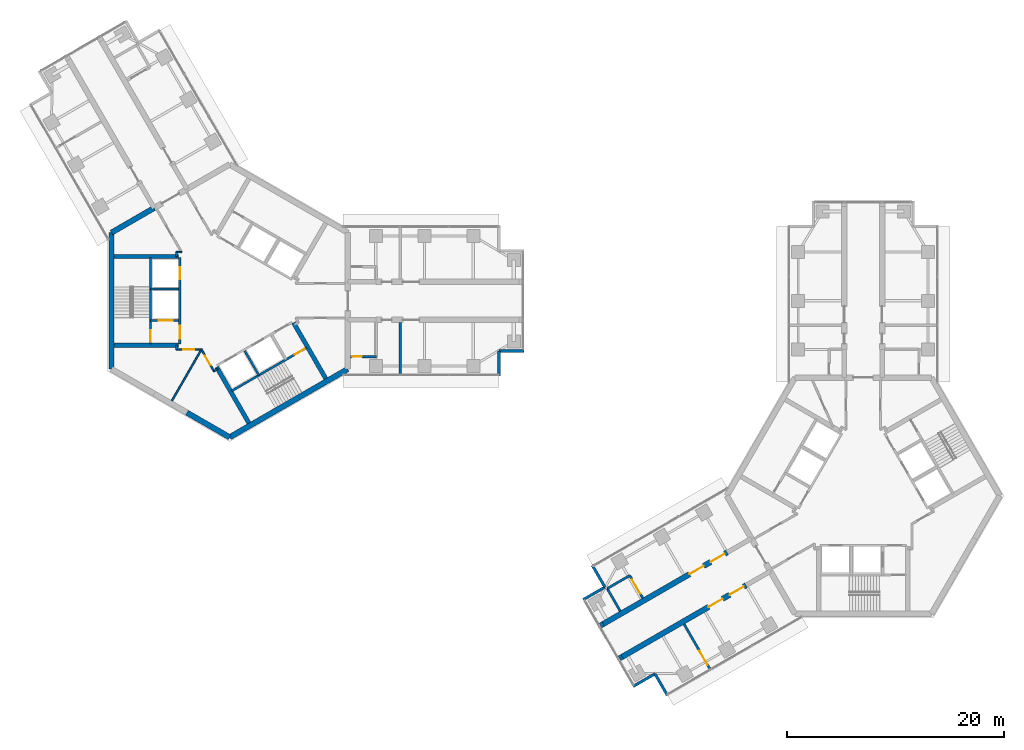
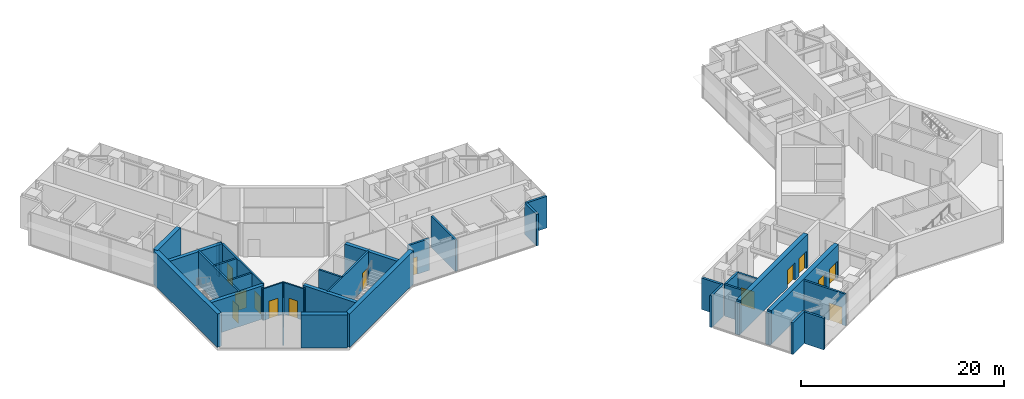
# One storey, part 11 of 17: 37 walls, 14 doors, 14 openings.
"""IFC4 building model written with IfcOpenShell, lengths in metres."""

from ifc_helpers import new_model, si_unit, direction, frame, frame_2d, origin, place, context, subcontext, project, spatial, rectangle, extrude, material, layer, layer_set, type_object, element, fill, save


model = new_model("IFC4")

# Units and contexts
model_context = context("Model", 3, precision=1e-05, world=origin(), true_north=direction((0.0, 1.0)))
body_context = subcontext(model_context, "Body", "Model", "MODEL_VIEW")
ifc_project = project(units=[si_unit("LENGTHUNIT", "METRE"), si_unit("AREAUNIT", "SQUARE_METRE"), si_unit("VOLUMEUNIT", "CUBIC_METRE"), si_unit("PLANEANGLEUNIT", "RADIAN"), si_unit("MASSUNIT", "GRAM", prefix="KILO")], contexts=[model_context])

# Site, building, storey
site_placement = place(None, origin())
site = spatial("IfcSite", under=ifc_project, at=site_placement, CompositionType="ELEMENT")
building_placement = place(site_placement, origin())
building = spatial("IfcBuilding", under=site, at=building_placement, Name="Upepo Twin Towers", CompositionType="ELEMENT")
storey_placement = place(building_placement, frame((0.0, 0.0, 182.5)))
storey = spatial("IfcBuildingStorey", under=building, at=storey_placement, Name="L44", CompositionType="ELEMENT", Elevation=182.5)

# Wall
ifc_material_1 = material(Name="Concrete blockwork, plastered both faces", Category="masonry")
ifc_layer_1 = layer(ifc_material_1, 0.215087890625)
ifc_layer_set_1 = layer_set([ifc_layer_1], Name="Blockwork partition 215")
wall_type_1 = type_object("IfcWallType", Name="Blockwork partition 215", PredefinedType="PARTITIONING", material=ifc_layer_set_1)
wall_1_placement = place(storey_placement, frame((15.75, -2.0, 0.0), z_axis=(0.0, 0.0, 1.0), x_axis=(0.0, -1.0, 0.0)))
element("IfcWall", 1, at=wall_1_placement, inside=storey, type_object=wall_type_1, Name="T1 partition AR at 15.75", PredefinedType="PARTITIONING", context=body_context, shape_type="SweptSolid", body=[
    extrude(rectangle(XDim=4.75, YDim=0.215087890625, at=frame_2d((2.375, 0.0))), origin(), (0.0, 0.0, 1.0), 3.800048828125),
])

# Wall, opening, door
wall_2_placement = place(storey_placement, frame((11.157958984375, -5.14990234375, 0.0), z_axis=(0.0, 0.0, 1.0), x_axis=(1.0, 0.0, 0.0)))
wall_2 = element("IfcWall", 2, at=wall_2_placement, inside=storey, type_object=wall_type_1, Name="T1 WC bay partition AR at 11.16", PredefinedType="PARTITIONING", context=body_context, shape_type="SweptSolid", body=[
    extrude(rectangle(XDim=2.400146484375, YDim=0.215087890625, at=frame_2d((1.2001953125, 0.0))), origin(), (0.0, 0.0, 1.0), 3.800048828125),
])
opening_1_placement = place(wall_2_placement, frame((0.14990234375, 0.0, 0.0)))
opening_1 = element("IfcOpeningElement", 3, at=opening_1_placement, cuts=wall_2, Name="Opening D14", PredefinedType="OPENING", context=body_context, shape_type="SweptSolid", body=[
    extrude(rectangle(XDim=0.89990234375, YDim=2.10009765625, at=frame_2d((0.449951171875, 1.050048828125))), frame((0.0, 0.117431640625, 0.0), z_axis=(0.0, -1.0, 0.0), x_axis=(1.0, 0.0, 0.0)), (0.0, 0.0, 1.0), 0.235107421875),
])
ifc_material_2 = material(Name="Timber doorset", Category="wood")
door_type_1 = type_object("IfcDoorType", Name="Office door 900 FD30", OperationType="SINGLE_SWING_LEFT", PredefinedType="DOOR", material=ifc_material_2)
door_1_placement = place(opening_1_placement, origin())
door_1 = element("IfcDoor", 4, at=door_1_placement, inside=storey, type_object=door_type_1, Name="T1 L44 WC bay inner room door", OperationType="SINGLE_SWING_LEFT", OverallHeight=2.10009765625, OverallWidth=0.89990234375, PredefinedType="DOOR", context=body_context, shape_type="SweptSolid", body=[
    extrude(rectangle(XDim=0.89990234375, YDim=2.10009765625, at=frame_2d((0.449951171875, 1.050048828125))), frame((0.0, 0.02490234375, 0.0), z_axis=(0.0, -1.0, 0.0), x_axis=(1.0, 0.0, 0.0)), (0.0, 0.0, 1.0), 0.050048828125),
])
fill(opening_1, door_1)

wall_3_placement = place(storey_placement, frame((41.962890625, -29.85693359375, 0.0), z_axis=(0.0, 0.0, 1.0), x_axis=(0.499986429846, -0.866033238375, 0.0)))
wall_3 = element("IfcWall", 5, at=wall_3_placement, inside=storey, type_object=wall_type_1, Name="T2 partition BL at 20.25", PredefinedType="PARTITIONING", context=body_context, shape_type="SweptSolid", body=[
    extrude(rectangle(XDim=4.750244140625, YDim=0.215087890625, at=frame_2d((2.375, 0.0))), origin(), (0.0, 0.0, 1.0), 3.800048828125),
])
opening_2_placement = place(wall_3_placement, frame((2.85009765625, 0.0, 0.0)))
opening_2 = element("IfcOpeningElement", 6, at=opening_2_placement, cuts=wall_3, Name="Opening D13", PredefinedType="OPENING", context=body_context, shape_type="SweptSolid", body=[
    extrude(rectangle(XDim=1.5, YDim=2.10009765625, at=frame_2d((0.75, 1.050048828125))), frame((0.0, 0.117431640625, 0.0), z_axis=(0.0, -1.0, 0.0), x_axis=(1.0, 0.0, 0.0)), (0.0, 0.0, 1.0), 0.235107421875),
])
ifc_material_3 = material(Name="Timber doorset", Category="wood")
door_type_2 = type_object("IfcDoorType", Name="Double door 1500 FD30", OperationType="DOUBLE_DOOR_SINGLE_SWING", PredefinedType="DOOR", material=ifc_material_3)
door_2_placement = place(opening_2_placement, origin())
door_2 = element("IfcDoor", 7, at=door_2_placement, inside=storey, type_object=door_type_2, Name="T2 L44 connecting door", OperationType="DOUBLE_DOOR_SINGLE_SWING", OverallHeight=2.10009765625, OverallWidth=1.5, PredefinedType="DOOR", context=body_context, shape_type="SweptSolid", body=[
    extrude(rectangle(XDim=1.5, YDim=2.10009765625, at=frame_2d((0.75, 1.050048828125))), frame((0.0, 0.02490234375, 0.0), z_axis=(0.0, -1.0, 0.0), x_axis=(1.0, 0.0, 0.0)), (0.0, 0.0, 1.0), 0.050048828125),
])
fill(opening_2, door_2)

# Wall
wall_4_placement = place(storey_placement, frame((36.9443359375, -25.364501953125, 0.0), z_axis=(0.0, 0.0, 1.0), x_axis=(-0.866024647952, -0.500001309137, 0.0)))
element("IfcWall", 8, at=wall_4_placement, inside=storey, type_object=wall_type_1, Name="T2 inner room partition BR at 22.35", PredefinedType="PARTITIONING", context=body_context, shape_type="SweptSolid", body=[
    extrude(rectangle(XDim=2.39990234375, YDim=0.215087890625, at=frame_2d((1.199951171875, 0.0))), origin(), (0.0, 0.0, 1.0), 3.800048828125),
])

# Wall, opening, door
wall_5_placement = place(storey_placement, frame((38.144287109375, -27.44287109375, 0.0), z_axis=(0.0, 0.0, 1.0), x_axis=(-0.500001309137, 0.866024647952, 0.0)))
wall_5 = element("IfcWall", 9, at=wall_5_placement, inside=storey, type_object=wall_type_1, Name="T2 inner room partition BR end at 22.35", PredefinedType="PARTITIONING", context=body_context, shape_type="SweptSolid", body=[
    extrude(rectangle(XDim=2.39990234375, YDim=0.215087890625, at=frame_2d((1.199951171875, 0.0))), origin(), (0.0, 0.0, 1.0), 3.800048828125),
])
opening_3_placement = place(wall_5_placement, frame((0.449951171875, 0.0, 0.0)))
opening_3 = element("IfcOpeningElement", 10, at=opening_3_placement, cuts=wall_5, Name="Opening D13", PredefinedType="OPENING", context=body_context, shape_type="SweptSolid", body=[
    extrude(rectangle(XDim=1.5, YDim=2.10009765625, at=frame_2d((0.75, 1.050048828125))), frame((0.0, 0.117431640625, 0.0), z_axis=(0.0, -1.0, 0.0), x_axis=(1.0, 0.0, 0.0)), (0.0, 0.0, 1.0), 0.235107421875),
])
door_3_placement = place(opening_3_placement, origin())
door_3 = element("IfcDoor", 11, at=door_3_placement, inside=storey, type_object=door_type_2, Name="T2 L44 inner room door", OperationType="DOUBLE_DOOR_SINGLE_SWING", OverallHeight=2.10009765625, OverallWidth=1.5, PredefinedType="DOOR", context=body_context, shape_type="SweptSolid", body=[
    extrude(rectangle(XDim=1.5, YDim=2.10009765625, at=frame_2d((0.75, 1.050048828125))), frame((0.0, 0.02490234375, 0.0), z_axis=(0.0, -1.0, 0.0), x_axis=(1.0, 0.0, 0.0)), (0.0, 0.0, 1.0), 0.050048828125),
])
fill(opening_3, door_3)

# Walls
wall_6_placement = place(storey_placement, frame((36.06591796875, -28.64306640625, 0.0), z_axis=(0.0, 0.0, 1.0), x_axis=(-0.499957262057, 0.866050077142, 0.0)))
element("IfcWall", 12, at=wall_6_placement, inside=storey, type_object=wall_type_1, Name="T2 inner room partition BR end at 24.75", PredefinedType="PARTITIONING", context=body_context, shape_type="SweptSolid", body=[
    extrude(rectangle(XDim=2.400146484375, YDim=0.215087890625, at=frame_2d((1.2001953125, 0.0))), origin(), (0.0, 0.0, 1.0), 3.800048828125),
])
ifc_material_4 = material(Name="Dense concrete blockwork", Category="masonry")
ifc_layer_2 = layer(ifc_material_4, 0.5)
ifc_layer_set_2 = layer_set([ifc_layer_2], Name="Buttress closer 500, blockwork with fire-stopping to the curtain wall")
wall_type_2 = type_object("IfcWallType", Name="Buttress closer 500, blockwork with fire-stopping to the curtain wall", PredefinedType="PARTITIONING", material=ifc_layer_set_2)
for number, where, z_axis, x_axis, name in (
    (13, (36.252197265625, -32.865478515625, 0.0), (0.0, 0.0, 1.0), (-0.86598763626, -0.500065409566, 0.0), "T2 L44 wing B buttress closer L"),
    (14, (34.502197265625, -29.83447265625, 0.0), (0.0, 0.0, 1.0), (-0.86598763626, -0.500065409566, 0.0), "T2 L44 wing B buttress closer R"),
):
    element("IfcWall", number, at=place(storey_placement, frame(where, z_axis=z_axis, x_axis=x_axis)), inside=storey, type_object=wall_type_2, Name=name, PredefinedType="PARTITIONING", context=body_context, shape_type="SweptSolid", body=[
        extrude(rectangle(XDim=0.28759765625, YDim=0.5, at=frame_2d((0.143798828125, 0.0))), origin(), (0.0, 0.0, 1.0), 3.800048828125),
    ])

# Wall, openings, doors
ifc_material_5 = material(Name="Concrete C60/75", Category="concrete")
ifc_layer_3 = layer(ifc_material_5, 0.5)
ifc_layer_set_3 = layer_set([ifc_layer_3], Name="Concrete C60/75")
wall_type_3 = type_object("IfcWallType", Name="Buttress wall 500 RC", PredefinedType="SHEAR", material=ifc_layer_set_3)
wall_7_placement = place(storey_placement, frame((47.68359375, -26.265625, 0.0), z_axis=(0.0, 0.0, 1.0), x_axis=(-0.866027579429, -0.499996231654, 0.0)))
wall_7 = element("IfcWall", 15, at=wall_7_placement, inside=storey, type_object=wall_type_3, Name="T2 wing B buttress wall L part 2", PredefinedType="SHEAR", context=body_context, shape_type="SweptSolid", body=[
    extrude(rectangle(XDim=13.19970703125, YDim=0.5, at=frame_2d((6.599853515625, 0.0))), origin(), (0.0, 0.0, 1.0), 4.0),
])
opening_4_placement = place(wall_7_placement, frame((0.25, 0.0, 0.0)))
opening_4 = element("IfcOpeningElement", 16, at=opening_4_placement, cuts=wall_7, Name="Opening D13", PredefinedType="OPENING", context=body_context, shape_type="SweptSolid", body=[
    extrude(rectangle(XDim=1.5, YDim=2.10009765625, at=frame_2d((0.75, 1.050048828125))), frame((0.0, 0.260009765625, 0.0), z_axis=(0.0, -1.0, 0.0), x_axis=(1.0, 0.0, 0.0)), (0.0, 0.0, 1.0), 0.52001953125),
])
opening_5_placement = place(wall_7_placement, frame((2.5, 0.0, 0.0)))
opening_5 = element("IfcOpeningElement", 17, at=opening_5_placement, cuts=wall_7, Name="Opening D13", PredefinedType="OPENING", context=body_context, shape_type="SweptSolid", body=[
    extrude(rectangle(XDim=1.5, YDim=2.10009765625, at=frame_2d((0.75, 1.050048828125))), frame((0.0, 0.260009765625, 0.0), z_axis=(0.0, -1.0, 0.0), x_axis=(1.0, 0.0, 0.0)), (0.0, 0.0, 1.0), 0.52001953125),
])
door_4_placement = place(opening_4_placement, origin())
door_4 = element("IfcDoor", 18, at=door_4_placement, inside=storey, type_object=door_type_2, Name="T2 L44 lecture room door", OperationType="DOUBLE_DOOR_SINGLE_SWING", OverallHeight=2.10009765625, OverallWidth=1.5, PredefinedType="DOOR", context=body_context, shape_type="SweptSolid", body=[
    extrude(rectangle(XDim=1.5, YDim=2.10009765625, at=frame_2d((0.75, 1.050048828125))), frame((0.0, 0.02490234375, 0.0), z_axis=(0.0, -1.0, 0.0), x_axis=(1.0, 0.0, 0.0)), (0.0, 0.0, 1.0), 0.050048828125),
])
fill(opening_4, door_4)
door_5_placement = place(opening_5_placement, origin())
door_5 = element("IfcDoor", 19, at=door_5_placement, inside=storey, type_object=door_type_2, Name="T2 L44 lecture room door", OperationType="DOUBLE_DOOR_SINGLE_SWING", OverallHeight=2.10009765625, OverallWidth=1.5, PredefinedType="DOOR", context=body_context, shape_type="SweptSolid", body=[
    extrude(rectangle(XDim=1.5, YDim=2.10009765625, at=frame_2d((0.75, 1.050048828125))), frame((0.0, 0.02490234375, 0.0), z_axis=(0.0, -1.0, 0.0), x_axis=(1.0, 0.0, 0.0)), (0.0, 0.0, 1.0), 0.050048828125),
])
fill(opening_5, door_5)

wall_8_placement = place(storey_placement, frame((45.93359375, -23.234375, 0.0), z_axis=(0.0, 0.0, 1.0), x_axis=(-0.866019570528, -0.500010103361, 0.0)))
wall_8 = element("IfcWall", 20, at=wall_8_placement, inside=storey, type_object=wall_type_3, Name="T2 wing B buttress wall R part 2", PredefinedType="SHEAR", context=body_context, shape_type="SweptSolid", body=[
    extrude(rectangle(XDim=13.199951171875, YDim=0.5, at=frame_2d((6.60009765625, 0.0))), origin(), (0.0, 0.0, 1.0), 4.0),
])
opening_6_placement = place(wall_8_placement, frame((0.25, 0.0, 0.0)))
opening_6 = element("IfcOpeningElement", 21, at=opening_6_placement, cuts=wall_8, Name="Opening D13", PredefinedType="OPENING", context=body_context, shape_type="SweptSolid", body=[
    extrude(rectangle(XDim=1.5, YDim=2.10009765625, at=frame_2d((0.75, 1.050048828125))), frame((0.0, 0.260009765625, 0.0), z_axis=(0.0, -1.0, 0.0), x_axis=(1.0, 0.0, 0.0)), (0.0, 0.0, 1.0), 0.52001953125),
])
opening_7_placement = place(wall_8_placement, frame((2.5, 0.0, 0.0)))
opening_7 = element("IfcOpeningElement", 22, at=opening_7_placement, cuts=wall_8, Name="Opening D13", PredefinedType="OPENING", context=body_context, shape_type="SweptSolid", body=[
    extrude(rectangle(XDim=1.5, YDim=2.10009765625, at=frame_2d((0.75, 1.050048828125))), frame((0.0, 0.260009765625, 0.0), z_axis=(0.0, -1.0, 0.0), x_axis=(1.0, 0.0, 0.0)), (0.0, 0.0, 1.0), 0.52001953125),
])
door_6_placement = place(opening_6_placement, origin())
door_6 = element("IfcDoor", 23, at=door_6_placement, inside=storey, type_object=door_type_2, Name="T2 L44 lecture room door", OperationType="DOUBLE_DOOR_SINGLE_SWING", OverallHeight=2.10009765625, OverallWidth=1.5, PredefinedType="DOOR", context=body_context, shape_type="SweptSolid", body=[
    extrude(rectangle(XDim=1.5, YDim=2.10009765625, at=frame_2d((0.75, 1.050048828125))), frame((0.0, 0.02490234375, 0.0), z_axis=(0.0, -1.0, 0.0), x_axis=(1.0, 0.0, 0.0)), (0.0, 0.0, 1.0), 0.050048828125),
])
fill(opening_6, door_6)
door_7_placement = place(opening_7_placement, origin())
door_7 = element("IfcDoor", 24, at=door_7_placement, inside=storey, type_object=door_type_2, Name="T2 L44 lecture room door", OperationType="DOUBLE_DOOR_SINGLE_SWING", OverallHeight=2.10009765625, OverallWidth=1.5, PredefinedType="DOOR", context=body_context, shape_type="SweptSolid", body=[
    extrude(rectangle(XDim=1.5, YDim=2.10009765625, at=frame_2d((0.75, 1.050048828125))), frame((0.0, 0.02490234375, 0.0), z_axis=(0.0, -1.0, 0.0), x_axis=(1.0, 0.0, 0.0)), (0.0, 0.0, 1.0), 0.050048828125),
])
fill(opening_7, door_7)

# Walls
ifc_material_6 = material(Name="Concrete C60/75", Category="concrete")
ifc_layer_4 = layer(ifc_material_6, 0.5)
ifc_layer_set_4 = layer_set([ifc_layer_4], Name="Concrete C60/75")
wall_type_4 = type_object("IfcWallType", Name="Core wall 500 RC", PredefinedType="SHEAR", material=ifc_layer_set_4)
wall_9_placement = place(storey_placement, frame((-6.9697265625, 8.57177734375, 0.0), z_axis=(0.0, 0.0, 1.0), x_axis=(-0.866034513004, -0.499984222037, 0.0)))
element("IfcWall", 25, at=wall_9_placement, inside=storey, type_object=wall_type_4, Name="T1 core wall 120 L", PredefinedType="SHEAR", context=body_context, shape_type="SweptSolid", body=[
    extrude(rectangle(XDim=4.548095703125, YDim=0.5, at=frame_2d((2.27392578125, 0.0))), origin(), (0.0, 0.0, 1.0), 4.0),
])
wall_10_placement = place(storey_placement, frame((-10.908447265625, 6.2978515625, 0.0), z_axis=(0.0, 0.0, 1.0), x_axis=(0.0, -1.0, 0.0)))
element("IfcWall", 26, at=wall_10_placement, inside=storey, type_object=wall_type_4, Name="T1 core wall 180", PredefinedType="SHEAR", context=body_context, shape_type="SweptSolid", body=[
    extrude(rectangle(XDim=12.595703125, YDim=0.5, at=frame_2d((6.2978515625, 0.0))), origin(), (0.0, 0.0, 1.0), 4.0),
])
wall_11_placement = place(storey_placement, frame((-3.938720703125, -10.32177734375, 0.0), z_axis=(0.0, 0.0, 1.0), x_axis=(0.866011268655, -0.500024481964, 0.0)))
element("IfcWall", 27, at=wall_11_placement, inside=storey, type_object=wall_type_4, Name="T1 core wall 240 L", PredefinedType="SHEAR", context=body_context, shape_type="SweptSolid", body=[
    extrude(rectangle(XDim=4.548095703125, YDim=0.5, at=frame_2d((2.27392578125, 0.0))), origin(), (0.0, 0.0, 1.0), 4.0),
])
wall_12_placement = place(storey_placement, frame((0.0, -12.595947265625, 0.0), z_axis=(0.0, 0.0, 1.0), x_axis=(0.866021940709, 0.500005998175, 0.0)))
element("IfcWall", 28, at=wall_12_placement, inside=storey, type_object=wall_type_4, Name="T1 core wall 300", PredefinedType="SHEAR", context=body_context, shape_type="SweptSolid", body=[
    extrude(rectangle(XDim=12.595947265625, YDim=0.5, at=frame_2d((6.2978515625, 0.0))), origin(), (0.0, 0.0, 1.0), 4.0),
])
ifc_material_7 = material(Name="Blockwork with anodised aluminium cladding", Category="masonry")
ifc_layer_5 = layer(ifc_material_7, 0.25)
ifc_layer_set_5 = layer_set([ifc_layer_5], Name="Notch cladding wall 250, pale metal")
wall_type_5 = type_object("IfcWallType", Name="Notch cladding wall 250, pale metal", PredefinedType="STANDARD", material=ifc_layer_set_5)
for number, where, z_axis, x_axis, name in (
    (29, (24.875, -6.949951171875, 0.0), (0.0, 0.0, 1.0), (0.0, 1.0, 0.0), "T1 L44 wing A notch wall R1"),
    (30, (24.875, -4.625, 0.0), (0.0, 0.0, 1.0), (1.0, 0.0, 0.0), "T1 L44 wing A notch wall R2"),
    (31, (40.4326171875, -36.456298828125, 0.0), (0.0, 0.0, 1.0), (-0.500046648681, 0.865998469481, 0.0), "T2 L44 wing B notch wall L1"),
    (32, (39.27001953125, -34.44287109375, 0.0), (0.0, 0.0, 1.0), (-0.865998469481, -0.500046648681, 0.0), "T2 L44 wing B notch wall L2"),
    (33, (33.482666015625, -24.418701171875, 0.0), (0.0, 0.0, 1.0), (0.499967891604, -0.866043940782, 0.0), "T2 L44 wing B notch wall R1"),
    (34, (34.64501953125, -26.43212890625, 0.0), (0.0, 0.0, 1.0), (-0.865998469481, -0.500046648681, 0.0), "T2 L44 wing B notch wall R2"),
):
    element("IfcWall", number, at=place(storey_placement, frame(where, z_axis=z_axis, x_axis=x_axis)), inside=storey, type_object=wall_type_5, Name=name, PredefinedType="STANDARD", context=body_context, shape_type="SweptSolid", body=[
        extrude(rectangle(XDim=2.324951171875, YDim=0.25, at=frame_2d((1.16259765625, 0.0))), origin(), (0.0, 0.0, 1.0), 3.800048828125),
    ])

# Wall, openings, doors
ifc_material_8 = material(Name="Concrete C40/50", Category="concrete")
ifc_layer_6 = layer(ifc_material_8, 0.199951171875)
ifc_layer_set_6 = layer_set([ifc_layer_6], Name="Concrete C40/50")
wall_type_6 = type_object("IfcWallType", Name="Shaft wall 200 RC", PredefinedType="SHEAR", material=ifc_layer_set_6)
wall_13_placement = place(storey_placement, frame((-4.60009765625, 4.0, 0.0), z_axis=(0.0, 0.0, 1.0), x_axis=(0.0, -1.0, 0.0)))
wall_13 = element("IfcWall", 35, at=wall_13_placement, inside=storey, type_object=wall_type_6, Name="T1 core W180 front wall", PredefinedType="SHEAR", context=body_context, shape_type="SweptSolid", body=[
    extrude(rectangle(XDim=8.0, YDim=0.199951171875, at=frame_2d((4.0, 0.0))), origin(), (0.0, 0.0, 1.0), 4.0),
])
opening_8_placement = place(wall_13_placement, frame((6.300048828125, 0.0, 0.0)))
opening_8 = element("IfcOpeningElement", 36, at=opening_8_placement, cuts=wall_13, Name="Opening D4", PredefinedType="OPENING", context=body_context, shape_type="SweptSolid", body=[
    extrude(rectangle(XDim=1.199951171875, YDim=2.10009765625, at=frame_2d((0.60009765625, 1.050048828125))), frame((0.0, 0.10986328125, 0.0), z_axis=(0.0, -1.0, 0.0), x_axis=(1.0, 0.0, 0.0)), (0.0, 0.0, 1.0), 0.219970703125),
])
opening_9_placement = place(wall_13_placement, frame((0.89990234375, 0.0, 0.0)))
opening_9 = element("IfcOpeningElement", 37, at=opening_9_placement, cuts=wall_13, Name="Opening LD1", PredefinedType="OPENING", context=body_context, shape_type="SweptSolid", body=[
    extrude(rectangle(XDim=1.10009765625, YDim=2.199951171875, at=frame_2d((0.550048828125, 1.10009765625))), frame((0.0, 0.10986328125, 0.0), z_axis=(0.0, -1.0, 0.0), x_axis=(1.0, 0.0, 0.0)), (0.0, 0.0, 1.0), 0.219970703125),
])
ifc_material_9 = material(Name="Steel doorset", Category="steel")
door_type_3 = type_object("IfcDoorType", Name="Lift landing door 1100", OperationType="DOUBLE_DOOR_SLIDING", PredefinedType="DOOR", material=ifc_material_9)
door_8_placement = place(opening_9_placement, origin())
door_8 = element("IfcDoor", 38, at=door_8_placement, inside=storey, type_object=door_type_3, Name="T1 L44 lift SV1 landing door", OperationType="DOUBLE_DOOR_SLIDING", OverallHeight=2.199951171875, OverallWidth=1.10009765625, PredefinedType="DOOR", context=body_context, shape_type="SweptSolid", body=[
    extrude(rectangle(XDim=1.10009765625, YDim=2.199951171875, at=frame_2d((0.550048828125, 1.10009765625))), frame((0.0, 0.02490234375, 0.0), z_axis=(0.0, -1.0, 0.0), x_axis=(1.0, 0.0, 0.0)), (0.0, 0.0, 1.0), 0.050048828125),
])
fill(opening_9, door_8)
ifc_material_10 = material(Name="Timber doorset", Category="wood")
door_type_4 = type_object("IfcDoorType", Name="Lobby door 1200 FD60", OperationType="SINGLE_SWING_LEFT", PredefinedType="DOOR", material=ifc_material_10)
door_9_placement = place(opening_8_placement, origin())
door_9 = element("IfcDoor", 39, at=door_9_placement, inside=storey, type_object=door_type_4, Name="T1 L44 W180 lobby door", OperationType="SINGLE_SWING_RIGHT", OverallHeight=2.10009765625, OverallWidth=1.199951171875, PredefinedType="DOOR", context=body_context, shape_type="SweptSolid", body=[
    extrude(rectangle(XDim=1.199951171875, YDim=2.10009765625, at=frame_2d((0.60009765625, 1.050048828125))), frame((0.0, 0.02490234375, 0.0), z_axis=(0.0, -1.0, 0.0), x_axis=(1.0, 0.0, 0.0)), (0.0, 0.0, 1.0), 0.050048828125),
])
fill(opening_8, door_9)

# Wall
wall_14_placement = place(storey_placement, frame((-4.699951171875, 1.10009765625, 0.0), z_axis=(0.0, 0.0, 1.0), x_axis=(-1.0, 0.0, 0.0)))
element("IfcWall", 40, at=wall_14_placement, inside=storey, type_object=wall_type_6, Name="T1 core W180 shaft divider", PredefinedType="SHEAR", context=body_context, shape_type="SweptSolid", body=[
    extrude(rectangle(XDim=2.60009765625, YDim=0.199951171875, at=frame_2d((1.300048828125, 0.0))), origin(), (0.0, 0.0, 1.0), 4.0),
])

# Wall, opening, door
wall_15_placement = place(storey_placement, frame((-4.699951171875, -1.800048828125, 0.0), z_axis=(0.0, 0.0, 1.0), x_axis=(-1.0, 0.0, 0.0)))
wall_15 = element("IfcWall", 41, at=wall_15_placement, inside=storey, type_object=wall_type_6, Name="T1 core W180 lobby wall", PredefinedType="SHEAR", context=body_context, shape_type="SweptSolid", body=[
    extrude(rectangle(XDim=2.60009765625, YDim=0.199951171875, at=frame_2d((1.300048828125, 0.0))), origin(), (0.0, 0.0, 1.0), 4.0),
])
opening_10_placement = place(wall_15_placement, frame((0.550048828125, 0.0, 0.0)))
opening_10 = element("IfcOpeningElement", 42, at=opening_10_placement, cuts=wall_15, Name="Opening LD2", PredefinedType="OPENING", context=body_context, shape_type="SweptSolid", body=[
    extrude(rectangle(XDim=1.300048828125, YDim=2.199951171875, at=frame_2d((0.64990234375, 1.10009765625))), frame((0.0, 0.10986328125, 0.0), z_axis=(0.0, -1.0, 0.0), x_axis=(1.0, 0.0, 0.0)), (0.0, 0.0, 1.0), 0.219970703125),
])
ifc_material_11 = material(Name="Steel doorset", Category="steel")
door_type_5 = type_object("IfcDoorType", Name="Firefighting lift landing door 1300", OperationType="DOUBLE_DOOR_SLIDING", PredefinedType="DOOR", material=ifc_material_11)
door_10_placement = place(opening_10_placement, origin())
door_10 = element("IfcDoor", 43, at=door_10_placement, inside=storey, type_object=door_type_5, Name="T1 L44 firefighting lift landing door", OperationType="DOUBLE_DOOR_SLIDING", OverallHeight=2.199951171875, OverallWidth=1.300048828125, PredefinedType="DOOR", context=body_context, shape_type="SweptSolid", body=[
    extrude(rectangle(XDim=1.300048828125, YDim=2.199951171875, at=frame_2d((0.64990234375, 1.10009765625))), frame((0.0, 0.02490234375, 0.0), z_axis=(0.0, -1.0, 0.0), x_axis=(1.0, 0.0, 0.0)), (0.0, 0.0, 1.0), 0.050048828125),
])
fill(opening_10, door_10)

wall_16_placement = place(storey_placement, frame((-7.300048828125, 4.0, 0.0), z_axis=(0.0, 0.0, 1.0), x_axis=(0.0, -1.0, 0.0)))
wall_16 = element("IfcWall", 44, at=wall_16_placement, inside=storey, type_object=wall_type_6, Name="T1 core W180 stair wall", PredefinedType="SHEAR", context=body_context, shape_type="SweptSolid", body=[
    extrude(rectangle(XDim=8.0, YDim=0.199951171875, at=frame_2d((4.0, 0.0))), origin(), (0.0, 0.0, 1.0), 4.0),
])
opening_11_placement = place(wall_16_placement, frame((6.699951171875, 0.0, 0.0)))
opening_11 = element("IfcOpeningElement", 45, at=opening_11_placement, cuts=wall_16, Name="Opening D3", PredefinedType="OPENING", context=body_context, shape_type="SweptSolid", body=[
    extrude(rectangle(XDim=1.10009765625, YDim=2.10009765625, at=frame_2d((0.550048828125, 1.050048828125))), frame((0.0, 0.10986328125, 0.0), z_axis=(0.0, -1.0, 0.0), x_axis=(1.0, 0.0, 0.0)), (0.0, 0.0, 1.0), 0.219970703125),
])
ifc_material_12 = material(Name="Timber doorset", Category="wood")
door_type_6 = type_object("IfcDoorType", Name="Stair door 1100 FD60", OperationType="SINGLE_SWING_LEFT", PredefinedType="DOOR", material=ifc_material_12)
door_11_placement = place(opening_11_placement, origin())
door_11 = element("IfcDoor", 46, at=door_11_placement, inside=storey, type_object=door_type_6, Name="T1 L44 stair door", OperationType="SINGLE_SWING_RIGHT", OverallHeight=2.10009765625, OverallWidth=1.10009765625, PredefinedType="DOOR", context=body_context, shape_type="SweptSolid", body=[
    extrude(rectangle(XDim=1.10009765625, YDim=2.10009765625, at=frame_2d((0.550048828125, 1.050048828125))), frame((0.0, 0.02490234375, 0.0), z_axis=(0.0, -1.0, 0.0), x_axis=(1.0, 0.0, 0.0)), (0.0, 0.0, 1.0), 0.050048828125),
])
fill(opening_11, door_11)

# Wall
wall_17_placement = place(storey_placement, frame((1.3974609375, -4.620361328125, 0.0), z_axis=(0.0, 0.0, 1.0), x_axis=(0.499936506574, -0.866062058628, 0.0)))
element("IfcWall", 47, at=wall_17_placement, inside=storey, type_object=wall_type_6, Name="T1 core W300 shaft divider", PredefinedType="SHEAR", context=body_context, shape_type="SweptSolid", body=[
    extrude(rectangle(XDim=2.599853515625, YDim=0.199951171875, at=frame_2d((1.2998046875, 0.0))), origin(), (0.0, 0.0, 1.0), 4.0),
])

# Wall, opening, door
wall_18_placement = place(storey_placement, frame((0.185791015625, -8.322021484375, 0.0), z_axis=(0.0, 0.0, 1.0), x_axis=(0.866026010844, 0.49999894854, 0.0)))
wall_18 = element("IfcWall", 48, at=wall_18_placement, inside=storey, type_object=wall_type_6, Name="T1 core W300 stair wall", PredefinedType="SHEAR", context=body_context, shape_type="SweptSolid", body=[
    extrude(rectangle(XDim=8.0, YDim=0.199951171875, at=frame_2d((4.0, 0.0))), origin(), (0.0, 0.0, 1.0), 4.0),
])
opening_12_placement = place(wall_18_placement, frame((6.699951171875, 0.0, 0.0)))
opening_12 = element("IfcOpeningElement", 49, at=opening_12_placement, cuts=wall_18, Name="Opening D3", PredefinedType="OPENING", context=body_context, shape_type="SweptSolid", body=[
    extrude(rectangle(XDim=1.10009765625, YDim=2.10009765625, at=frame_2d((0.550048828125, 1.050048828125))), frame((0.0, 0.10986328125, 0.0), z_axis=(0.0, -1.0, 0.0), x_axis=(1.0, 0.0, 0.0)), (0.0, 0.0, 1.0), 0.219970703125),
])
door_12_placement = place(opening_12_placement, origin())
door_12 = element("IfcDoor", 50, at=door_12_placement, inside=storey, type_object=door_type_6, Name="T1 L44 stair door", OperationType="SINGLE_SWING_RIGHT", OverallHeight=2.10009765625, OverallWidth=1.10009765625, PredefinedType="DOOR", context=body_context, shape_type="SweptSolid", body=[
    extrude(rectangle(XDim=1.10009765625, YDim=2.10009765625, at=frame_2d((0.550048828125, 1.050048828125))), frame((0.0, 0.02490234375, 0.0), z_axis=(0.0, -1.0, 0.0), x_axis=(1.0, 0.0, 0.0)), (0.0, 0.0, 1.0), 0.050048828125),
])
fill(opening_12, door_12)

# Walls
ifc_material_13 = material(Name="Concrete C40/50", Category="concrete")
ifc_layer_7 = layer(ifc_material_13, 0.39990234375)
ifc_layer_set_7 = layer_set([ifc_layer_7], Name="Concrete C40/50")
wall_type_7 = type_object("IfcWallType", Name="Shaft wall 400 RC", PredefinedType="SHEAR", material=ifc_layer_set_7)
for number, where, z_axis, x_axis, name in (
    (51, (-4.699951171875, -4.10009765625, 0.0), (0.0, 0.0, 1.0), (-1.0, 0.0, 0.0), "T1 core W180 side wall N"),
    (52, (-4.699951171875, 4.10009765625, 0.0), (0.0, 0.0, 1.0), (-1.0, 0.0, 0.0), "T1 core W180 side wall S"),
    (53, (5.900634765625, -2.020263671875, 0.0), (0.0, 0.0, 1.0), (0.500003832394, -0.86602319114, 0.0), "T1 core W300 side wall N"),
):
    element("IfcWall", number, at=place(storey_placement, frame(where, z_axis=z_axis, x_axis=x_axis)), inside=storey, type_object=wall_type_7, Name=name, PredefinedType="SHEAR", context=body_context, shape_type="SweptSolid", body=[
        extrude(rectangle(XDim=5.95849609375, YDim=0.39990234375, at=frame_2d((2.979248046875, 0.0))), origin(), (0.0, 0.0, 1.0), 4.0),
    ])
wall_19_placement = place(storey_placement, frame((-1.20068359375, -6.120361328125, 0.0), z_axis=(0.0, 0.0, 1.0), x_axis=(0.500021575205, -0.866012946976, 0.0)))
element("IfcWall", 54, at=wall_19_placement, inside=storey, type_object=wall_type_7, Name="T1 core W300 side wall S", PredefinedType="SHEAR", context=body_context, shape_type="SweptSolid", body=[
    extrude(rectangle(XDim=5.958251953125, YDim=0.39990234375, at=frame_2d((2.97900390625, 0.0))), origin(), (0.0, 0.0, 1.0), 4.0),
])
ifc_material_14 = material(Name="Gypsum board on steel studs", Category="steel")
ifc_layer_8 = layer(ifc_material_14, 0.14990234375)
ifc_layer_set_8 = layer_set([ifc_layer_8], Name="Teaching partition 150 acoustic")
wall_type_8 = type_object("IfcWallType", Name="Teaching partition 150 acoustic", PredefinedType="PARTITIONING", material=ifc_layer_set_8)
wall_20_placement = place(storey_placement, frame((-1.092041015625, -6.28857421875, 0.0), z_axis=(0.0, 0.0, 1.0), x_axis=(-0.866138304741, -0.499804398801, 0.0)))
element("IfcWall", 55, at=wall_20_placement, inside=storey, type_object=wall_type_8, Name="T1 core room partition 2", PredefinedType="PARTITIONING", context=body_context, shape_type="SweptSolid", body=[
    extrude(rectangle(XDim=0.429931640625, YDim=0.14990234375, at=frame_2d((0.21484375, 0.0))), origin(), (0.0, 0.0, 1.0), 3.800048828125),
])

# Wall, opening, door
wall_21_placement = place(storey_placement, frame((-1.43701171875, -6.5107421875, 0.0), z_axis=(0.0, 0.0, 1.0), x_axis=(-0.500074377092, 0.865982457891, 0.0)))
wall_21 = element("IfcWall", 56, at=wall_21_placement, inside=storey, type_object=wall_type_8, Name="T1 core room partition 3", PredefinedType="PARTITIONING", context=body_context, shape_type="SweptSolid", body=[
    extrude(rectangle(XDim=2.342041015625, YDim=0.14990234375, at=frame_2d((1.1708984375, 0.0))), origin(), (0.0, 0.0, 1.0), 3.800048828125),
])
opening_13_placement = place(wall_21_placement, frame((0.660888671875, 0.0, 0.0)))
opening_13 = element("IfcOpeningElement", 57, at=opening_13_placement, cuts=wall_21, Name="Opening D1", PredefinedType="OPENING", context=body_context, shape_type="SweptSolid", body=[
    extrude(rectangle(XDim=1.0, YDim=2.10009765625, at=frame_2d((0.5, 1.050048828125))), frame((0.0, 0.0849609375, 0.0), z_axis=(0.0, -1.0, 0.0), x_axis=(1.0, 0.0, 0.0)), (0.0, 0.0, 1.0), 0.169921875),
])
ifc_material_15 = material(Name="Timber doorset", Category="wood")
door_type_7 = type_object("IfcDoorType", Name="Room door 1000 FD30", OperationType="SINGLE_SWING_LEFT", PredefinedType="DOOR", material=ifc_material_15)
door_13_placement = place(opening_13_placement, origin())
door_13 = element("IfcDoor", 58, at=door_13_placement, inside=storey, type_object=door_type_7, Name="T1 L44 core room door K2", OperationType="SINGLE_SWING_LEFT", OverallHeight=2.10009765625, OverallWidth=1.0, PredefinedType="DOOR", context=body_context, shape_type="SweptSolid", body=[
    extrude(rectangle(XDim=1.0, YDim=2.10009765625, at=frame_2d((0.5, 1.050048828125))), frame((0.0, 0.02490234375, 0.0), z_axis=(0.0, -1.0, 0.0), x_axis=(1.0, 0.0, 0.0)), (0.0, 0.0, 1.0), 0.050048828125),
])
fill(opening_13, door_13)

wall_22_placement = place(storey_placement, frame((-2.578125, -4.5, 0.0), z_axis=(0.0, 0.0, 1.0), x_axis=(-1.0, 0.0, 0.0)))
wall_22 = element("IfcWall", 59, at=wall_22_placement, inside=storey, type_object=wall_type_8, Name="T1 core room partition 4", PredefinedType="PARTITIONING", context=body_context, shape_type="SweptSolid", body=[
    extrude(rectangle(XDim=2.341796875, YDim=0.14990234375, at=frame_2d((1.1708984375, 0.0))), origin(), (0.0, 0.0, 1.0), 3.800048828125),
])
opening_14_placement = place(wall_22_placement, frame((0.68115234375, 0.0, 0.0)))
opening_14 = element("IfcOpeningElement", 60, at=opening_14_placement, cuts=wall_22, Name="Opening D1", PredefinedType="OPENING", context=body_context, shape_type="SweptSolid", body=[
    extrude(rectangle(XDim=1.0, YDim=2.10009765625, at=frame_2d((0.5, 1.050048828125))), frame((0.0, 0.0849609375, 0.0), z_axis=(0.0, -1.0, 0.0), x_axis=(1.0, 0.0, 0.0)), (0.0, 0.0, 1.0), 0.169921875),
])
door_14_placement = place(opening_14_placement, origin())
door_14 = element("IfcDoor", 61, at=door_14_placement, inside=storey, type_object=door_type_7, Name="T1 L44 core room door K1", OperationType="SINGLE_SWING_RIGHT", OverallHeight=2.10009765625, OverallWidth=1.0, PredefinedType="DOOR", context=body_context, shape_type="SweptSolid", body=[
    extrude(rectangle(XDim=1.0, YDim=2.10009765625, at=frame_2d((0.5, 1.050048828125))), frame((0.0, 0.02490234375, 0.0), z_axis=(0.0, -1.0, 0.0), x_axis=(1.0, 0.0, 0.0)), (0.0, 0.0, 1.0), 0.050048828125),
])
fill(opening_14, door_14)

# Walls
for number, where, z_axis, x_axis, name in (
    (62, (-4.89990234375, -4.52001953125, 0.0), (0.0, 0.0, 1.0), (0.0, 1.0, 0.0), "T1 core room partition 5"),
    (63, (-4.89990234375, 4.090087890625, 0.0), (0.0, 0.0, 1.0), (0.0, 1.0, 0.0), "T1 core room partition 6"),
):
    element("IfcWall", number, at=place(storey_placement, frame(where, z_axis=z_axis, x_axis=x_axis)), inside=storey, type_object=wall_type_8, Name=name, PredefinedType="PARTITIONING", context=body_context, shape_type="SweptSolid", body=[
        extrude(rectangle(XDim=0.429931640625, YDim=0.14990234375, at=frame_2d((0.21484375, 0.0))), origin(), (0.0, 0.0, 1.0), 3.800048828125),
    ])
wall_23_placement = place(storey_placement, frame((-4.919921875, 4.5, 0.0), z_axis=(0.0, 0.0, 1.0), x_axis=(1.0, 0.0, 0.0)))
element("IfcWall", 64, at=wall_23_placement, inside=storey, type_object=wall_type_8, Name="T1 core room partition 7", PredefinedType="PARTITIONING", context=body_context, shape_type="SweptSolid", body=[
    extrude(rectangle(XDim=0.494384765625, YDim=0.14990234375, at=frame_2d((0.2470703125, 0.0))), origin(), (0.0, 0.0, 1.0), 3.800048828125),
])
wall_24_placement = place(storey_placement, frame((-2.641357421875, -4.574951171875, 0.0), z_axis=(0.0, 0.0, 1.0), x_axis=(-0.499983231807, -0.866035084688, 0.0)))
element("IfcWall", 65, at=wall_24_placement, inside=storey, type_object=wall_type_8, Name="T1 core room partition 17", PredefinedType="PARTITIONING", context=body_context, shape_type="SweptSolid", body=[
    extrude(rectangle(XDim=5.375732421875, YDim=0.14990234375, at=frame_2d((2.68798828125, 0.0))), origin(), (0.0, 0.0, 1.0), 3.800048828125),
])

save(model, "model.ifc")
